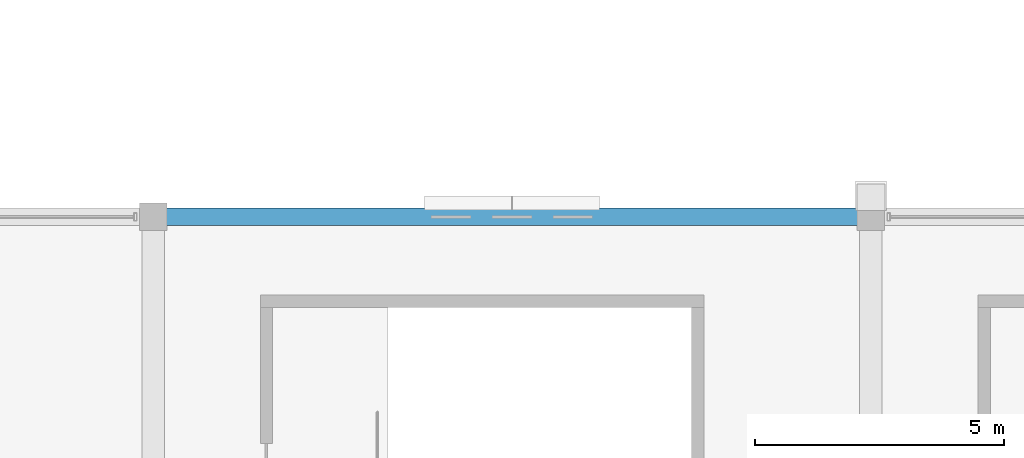
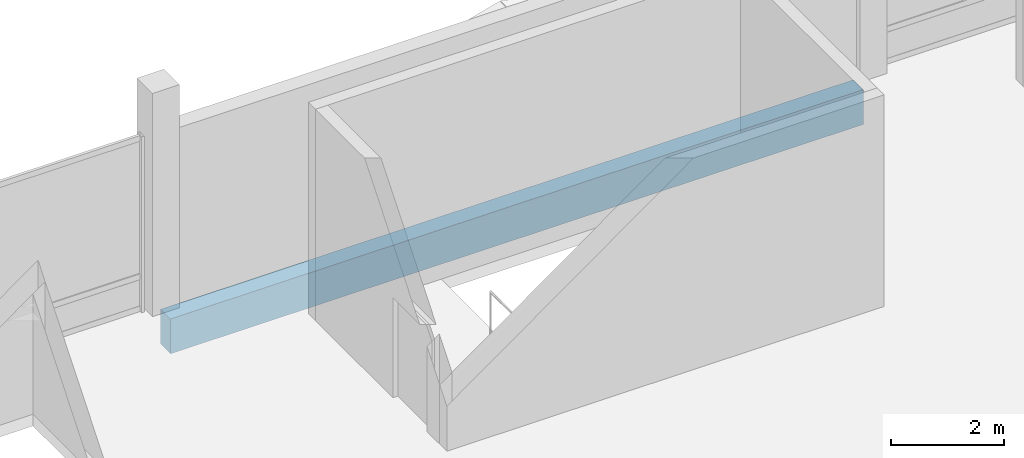
# One storey, part 20 of 116: 1 beam.
"""IFC4 building model written with IfcOpenShell, lengths in metres."""

from ifc_helpers import new_model, si_unit, direction, frame, origin, origin_2d, place, context, subcontext, project, spatial, rectangle, extrude, material, material_profile, profile_set, type_object, element, save


model = new_model("IFC4")

# Units and contexts
model_context = context("Model", 3, precision=1e-05, world=origin(), true_north=direction((0.0, 1.0)))
body_context = subcontext(model_context, "Body", "Model", "MODEL_VIEW")
ifc_project = project(units=[si_unit("LENGTHUNIT", "METRE"), si_unit("AREAUNIT", "SQUARE_METRE"), si_unit("VOLUMEUNIT", "CUBIC_METRE"), si_unit("PLANEANGLEUNIT", "RADIAN"), si_unit("MASSUNIT", "GRAM", prefix="KILO")], contexts=[model_context])

# Site, building, storey
site_placement = place(None, origin())
site = spatial("IfcSite", under=ifc_project, at=site_placement, CompositionType="ELEMENT")
building_placement = place(site_placement, origin())
building = spatial("IfcBuilding", under=site, at=building_placement, Name="Cendralis Lancet Convention Centre", CompositionType="ELEMENT")
storey_placement = place(building_placement, frame((0.0, 0.0, 15.0)))
storey = spatial("IfcBuildingStorey", under=building, at=storey_placement, Name="L03", CompositionType="ELEMENT", Elevation=15.0)

# Beam
ifc_material = material(Name="Concrete G40 (C40/50)", Category="concrete")
ifc_material_profile = material_profile(ifc_material, rectangle(XDim=0.35009765625, YDim=0.75, at=origin_2d()), Name="RCB 350x750")
ifc_profile_set = profile_set([ifc_material_profile], Name="Concrete G40 (C40/50)")
beam_type = type_object("IfcBeamType", Name="STR-SP-SP01", PredefinedType="SPANDREL", material=ifc_profile_set)
beam_placement = place(storey_placement, frame((79.35009765625, 36.0, -0.635009765625), z_axis=(1.0, 0.0, 0.0), x_axis=(0.0, 1.0, 0.0)))
element("IfcBeam", 1, at=beam_placement, inside=storey, type_object=beam_type, Name="L03 Beam SP01 #0928", PredefinedType="SPANDREL", context=body_context, shape_type="SweptSolid", body=[
    extrude(rectangle(XDim=0.35009765625, YDim=0.75, at=origin_2d()), origin(), (0.0, 0.0, 1.0), 14.099853515625),
])

save(model, "model.ifc")
